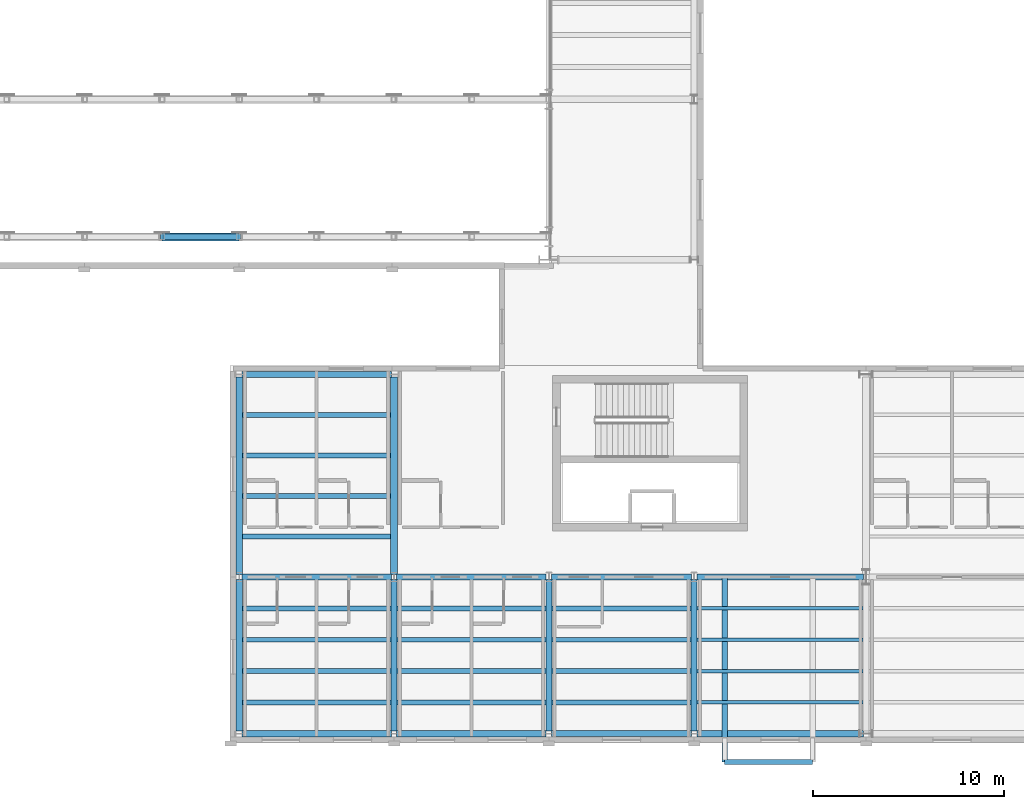
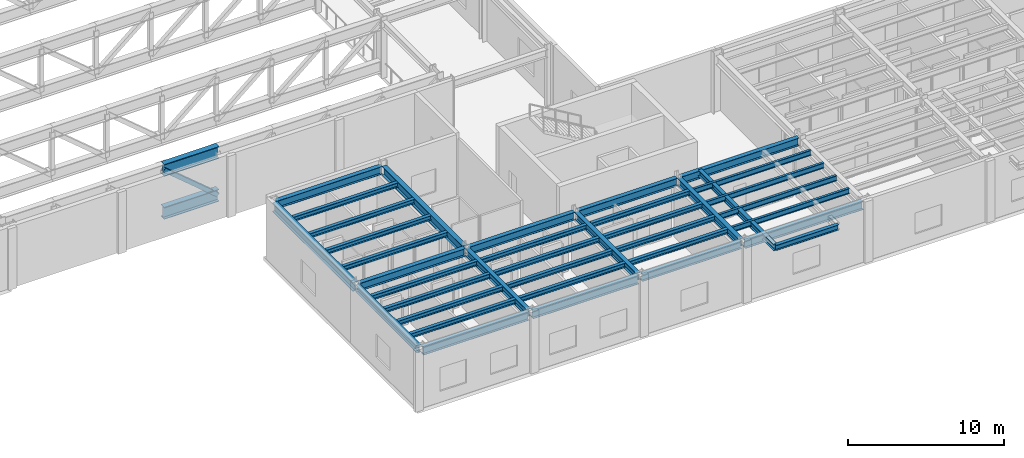
# One storey, part 17 of 91: 39 beams, 1 member.
"""IFC4 building model written with IfcOpenShell, lengths in metres."""

from ifc_helpers import new_model, si_unit, direction, frame, origin, origin_2d, place, context, subcontext, project, spatial, hollow_rectangle, i_section, extrude, material, material_profile, profile_set, type_object, element, save


model = new_model("IFC4")

# Units and contexts
model_context = context("Model", 3, precision=1e-05, world=origin(), true_north=direction((0.0, 1.0)))
body_context = subcontext(model_context, "Body", "Model", "MODEL_VIEW")
ifc_project = project(units=[si_unit("LENGTHUNIT", "METRE"), si_unit("AREAUNIT", "SQUARE_METRE"), si_unit("VOLUMEUNIT", "CUBIC_METRE"), si_unit("PLANEANGLEUNIT", "RADIAN"), si_unit("MASSUNIT", "GRAM", prefix="KILO")], contexts=[model_context])

# Site, building, storey
site_placement = place(None, origin())
site = spatial("IfcSite", under=ifc_project, at=site_placement, CompositionType="ELEMENT")
building_placement = place(site_placement, origin())
building = spatial("IfcBuilding", under=site, at=building_placement, Name="Sollismere Congress Hotel", CompositionType="ELEMENT")
storey_placement = place(building_placement, frame((0.0, 0.0, 10.800048828125)))
storey = spatial("IfcBuildingStorey", under=building, at=storey_placement, Name="L02", CompositionType="ELEMENT", Elevation=10.800048828125)

# Beams
ifc_material_1 = material(Name="Steel ASTM A992 Grade 50", Category="steel")
ifc_material_profile_1 = material_profile(ifc_material_1, i_section(OverallWidth=0.281982421875, OverallDepth=0.471923828125, WebThickness=0.013671875, FlangeThickness=0.022216796875, at=origin_2d()), Name="W18X97")
ifc_profile_set_1 = profile_set([ifc_material_profile_1], Name="Steel ASTM A992 Grade 50")
beam_type_1 = type_object("IfcBeamType", Name="BM-CK18E", PredefinedType="BEAM", material=ifc_profile_set_1)
beam_1_placement = place(storey_placement, frame((59.60009765625, 8.199951171875, 4.263916015625), z_axis=(0.0, -1.0, 0.0), x_axis=(1.0, 0.0, 0.0)))
element("IfcBeam", 1, at=beam_1_placement, inside=storey, type_object=beam_type_1, Name="Beam BM-L02-3877", PredefinedType="BEAM", context=body_context, shape_type="SweptSolid", body=[
    extrude(i_section(OverallWidth=0.281982421875, OverallDepth=0.471923828125, WebThickness=0.013671875, FlangeThickness=0.022216796875, at=origin_2d()), origin(), (0.0, 0.0, 1.0), 9.68994140625),
])
ifc_material_profile_2 = material_profile(ifc_material_1, i_section(OverallWidth=0.31494140625, OverallDepth=0.551025390625, WebThickness=0.01513671875, FlangeThickness=0.0244140625, at=origin_2d()), Name="W21X122")
ifc_profile_set_2 = profile_set([ifc_material_profile_2], Name="Steel ASTM A992 Grade 50")
beam_type_2 = type_object("IfcBeamType", Name="BM-G21H", PredefinedType="BEAM", material=ifc_profile_set_2)
for number, where, z_axis, x_axis, name in (
    (2, (34.199951171875, 0.139892578125, 4.224365234375), (0.0, 1.0, 0.0), (-1.0, 0.0, 0.0), "Beam BM-L02-2067"),
    (3, (42.300048828125, 0.139892578125, 4.224365234375), (0.0, 1.0, 0.0), (-1.0, 0.0, 0.0), "Beam BM-L02-2069"),
    (4, (50.39990234375, 0.139892578125, 4.224365234375), (0.0, 1.0, 0.0), (-1.0, 0.0, 0.0), "Beam BM-L02-2071"),
    (5, (58.0, 0.139892578125, 4.224365234375), (0.0, 1.0, 0.0), (-1.0, 0.0, 0.0), "Beam BM-L02-2078"),
):
    element("IfcBeam", number, at=place(storey_placement, frame(where, z_axis=z_axis, x_axis=x_axis)), inside=storey, type_object=beam_type_2, Name=name, PredefinedType="BEAM", context=body_context, shape_type="SweptSolid", body=[
        extrude(i_section(OverallWidth=0.31494140625, OverallDepth=0.551025390625, WebThickness=0.01513671875, FlangeThickness=0.0244140625, at=origin_2d()), origin(), (0.0, 0.0, 1.0), 7.920166015625),
    ])
ifc_material_profile_3 = material_profile(ifc_material_1, i_section(OverallWidth=0.324951171875, OverallDepth=0.612060546875, WebThickness=0.0126953125, FlangeThickness=0.01904296875, at=origin_2d()), Name="W24X104")
ifc_profile_set_3 = profile_set([ifc_material_profile_3], Name="Steel ASTM A992 Grade 50")
beam_type_3 = type_object("IfcBeamType", Name="BM-G24", PredefinedType="BEAM", material=ifc_profile_set_3)
beam_2_placement = place(storey_placement, frame((34.340087890625, 8.199951171875, 4.19384765625), z_axis=(1.0, 0.0, 0.0), x_axis=(0.0, 1.0, 0.0)))
element("IfcBeam", 6, at=beam_2_placement, inside=storey, type_object=beam_type_3, Name="Beam BM-L02-1985", PredefinedType="BEAM", context=body_context, shape_type="SweptSolid", body=[
    extrude(i_section(OverallWidth=0.324951171875, OverallDepth=0.612060546875, WebThickness=0.0126953125, FlangeThickness=0.01904296875, at=origin_2d()), origin(), (0.0, 0.0, 1.0), 7.81982421875),
])
beam_3_placement = place(storey_placement, frame((42.43994140625, 8.199951171875, 4.19384765625), z_axis=(1.0, 0.0, 0.0), x_axis=(0.0, 1.0, 0.0)))
element("IfcBeam", 7, at=beam_3_placement, inside=storey, type_object=beam_type_3, Name="Beam BM-L02-1986", PredefinedType="BEAM", context=body_context, shape_type="SweptSolid", body=[
    extrude(i_section(OverallWidth=0.324951171875, OverallDepth=0.612060546875, WebThickness=0.0126953125, FlangeThickness=0.01904296875, at=origin_2d()), origin(), (0.0, 0.0, 1.0), 7.820068359375),
])
beam_4_placement = place(storey_placement, frame((50.5400390625, 8.199951171875, 4.19384765625), z_axis=(1.0, 0.0, 0.0), x_axis=(0.0, 1.0, 0.0)))
element("IfcBeam", 8, at=beam_4_placement, inside=storey, type_object=beam_type_3, Name="Beam BM-L02-1987", PredefinedType="BEAM", context=body_context, shape_type="SweptSolid", body=[
    extrude(i_section(OverallWidth=0.324951171875, OverallDepth=0.612060546875, WebThickness=0.0126953125, FlangeThickness=0.01904296875, at=origin_2d()), origin(), (0.0, 0.0, 1.0), 7.320068359375),
])
beam_5_placement = place(storey_placement, frame((58.139892578125, 8.199951171875, 4.19384765625), z_axis=(1.0, 0.0, 0.0), x_axis=(0.0, 1.0, 0.0)))
element("IfcBeam", 9, at=beam_5_placement, inside=storey, type_object=beam_type_3, Name="Beam BM-L02-1988", PredefinedType="BEAM", context=body_context, shape_type="SweptSolid", body=[
    extrude(i_section(OverallWidth=0.324951171875, OverallDepth=0.612060546875, WebThickness=0.0126953125, FlangeThickness=0.01904296875, at=origin_2d()), origin(), (0.0, 0.0, 1.0), 8.72021484375),
])
beam_6_placement = place(storey_placement, frame((34.340087890625, 18.800048828125, 4.19384765625), z_axis=(1.0, 0.0, 0.0), x_axis=(0.0, 1.0, 0.0)))
element("IfcBeam", 10, at=beam_6_placement, inside=storey, type_object=beam_type_3, Name="Beam BM-L02-1999", PredefinedType="BEAM", context=body_context, shape_type="SweptSolid", body=[
    extrude(i_section(OverallWidth=0.324951171875, OverallDepth=0.612060546875, WebThickness=0.0126953125, FlangeThickness=0.01904296875, at=origin_2d()), origin(), (0.0, 0.0, 1.0), 7.81982421875),
])
ifc_material_profile_4 = material_profile(ifc_material_1, i_section(OverallWidth=0.35595703125, OverallDepth=0.696044921875, WebThickness=0.015380859375, FlangeThickness=0.025146484375, at=origin_2d()), Name="W27X146")
ifc_profile_set_4 = profile_set([ifc_material_profile_4], Name="Steel ASTM A992 Grade 50")
beam_type_4 = type_object("IfcBeamType", Name="BM-G27", PredefinedType="BEAM", material=ifc_profile_set_4)
for number, where, z_axis, x_axis, name in (
    (11, (34.199951171875, 8.340087890625, 4.15185546875), (0.0, 1.0, 0.0), (-1.0, 0.0, 0.0), "Beam BM-L02-2068"),
    (12, (42.300048828125, 8.340087890625, 4.15185546875), (0.0, 1.0, 0.0), (-1.0, 0.0, 0.0), "Beam BM-L02-2070"),
):
    element("IfcBeam", number, at=place(storey_placement, frame(where, z_axis=z_axis, x_axis=x_axis)), inside=storey, type_object=beam_type_4, Name=name, PredefinedType="BEAM", context=body_context, shape_type="SweptSolid", body=[
        extrude(i_section(OverallWidth=0.35595703125, OverallDepth=0.696044921875, WebThickness=0.015380859375, FlangeThickness=0.025146484375, at=origin_2d()), origin(), (0.0, 0.0, 1.0), 10.31982421875),
    ])
ifc_material_profile_5 = material_profile(ifc_material_1, i_section(OverallWidth=0.25390625, OverallDepth=0.35595703125, WebThickness=0.010498046875, FlangeThickness=0.018310546875, at=origin_2d()), Name="W14X68")
ifc_profile_set_5 = profile_set([ifc_material_profile_5], Name="Steel ASTM A992 Grade 50")
beam_type_5 = type_object("IfcBeamType", Name="BM-J14", PredefinedType="JOIST", material=ifc_profile_set_5)
for number, where, z_axis, x_axis, name in (
    (13, (34.357421875, 1.639892578125, 4.322021484375), (1.0, 0.0, 0.0), (0.0, 1.0, 0.0), "Beam BM-L02-2158"),
    (14, (34.357421875, 3.280029296875, 4.322021484375), (1.0, 0.0, 0.0), (0.0, 1.0, 0.0), "Beam BM-L02-2159"),
    (15, (34.357421875, 4.919921875, 4.322021484375), (1.0, 0.0, 0.0), (0.0, 1.0, 0.0), "Beam BM-L02-2160"),
    (16, (34.357421875, 6.56005859375, 4.322021484375), (1.0, 0.0, 0.0), (0.0, 1.0, 0.0), "Beam BM-L02-2161"),
):
    element("IfcBeam", number, at=place(storey_placement, frame(where, z_axis=z_axis, x_axis=x_axis)), inside=storey, type_object=beam_type_5, Name=name, PredefinedType="JOIST", context=body_context, shape_type="SweptSolid", body=[
        extrude(i_section(OverallWidth=0.25390625, OverallDepth=0.35595703125, WebThickness=0.010498046875, FlangeThickness=0.018310546875, at=origin_2d()), origin(), (0.0, 0.0, 1.0), 7.78515625),
    ])
for number, where, z_axis, x_axis, name in (
    (17, (34.3779296875, 10.320068359375, 4.322021484375), (1.0, 0.0, 0.0), (0.0, 1.0, 0.0), "Beam BM-L02-2162"),
    (18, (34.3779296875, 12.43994140625, 4.322021484375), (1.0, 0.0, 0.0), (0.0, 1.0, 0.0), "Beam BM-L02-2163"),
    (19, (34.3779296875, 14.56005859375, 4.322021484375), (1.0, 0.0, 0.0), (0.0, 1.0, 0.0), "Beam BM-L02-2164"),
    (20, (34.3779296875, 16.679931640625, 4.322021484375), (1.0, 0.0, 0.0), (0.0, 1.0, 0.0), "Beam BM-L02-2165"),
):
    element("IfcBeam", number, at=place(storey_placement, frame(where, z_axis=z_axis, x_axis=x_axis)), inside=storey, type_object=beam_type_5, Name=name, PredefinedType="JOIST", context=body_context, shape_type="SweptSolid", body=[
        extrude(i_section(OverallWidth=0.25390625, OverallDepth=0.35595703125, WebThickness=0.010498046875, FlangeThickness=0.018310546875, at=origin_2d()), origin(), (0.0, 0.0, 1.0), 7.744140625),
    ])
for number, where, z_axis, x_axis, name in (
    (21, (42.45751953125, 1.639892578125, 4.322021484375), (1.0, 0.0, 0.0), (0.0, 1.0, 0.0), "Beam BM-L02-2166"),
    (22, (42.45751953125, 3.280029296875, 4.322021484375), (1.0, 0.0, 0.0), (0.0, 1.0, 0.0), "Beam BM-L02-2167"),
    (23, (42.45751953125, 4.919921875, 4.322021484375), (1.0, 0.0, 0.0), (0.0, 1.0, 0.0), "Beam BM-L02-2168"),
    (24, (42.45751953125, 6.56005859375, 4.322021484375), (1.0, 0.0, 0.0), (0.0, 1.0, 0.0), "Beam BM-L02-2169"),
):
    element("IfcBeam", number, at=place(storey_placement, frame(where, z_axis=z_axis, x_axis=x_axis)), inside=storey, type_object=beam_type_5, Name=name, PredefinedType="JOIST", context=body_context, shape_type="SweptSolid", body=[
        extrude(i_section(OverallWidth=0.25390625, OverallDepth=0.35595703125, WebThickness=0.010498046875, FlangeThickness=0.018310546875, at=origin_2d()), origin(), (0.0, 0.0, 1.0), 7.784912109375),
    ])
for number, where, z_axis, x_axis, name in (
    (25, (50.5576171875, 1.639892578125, 4.322021484375), (1.0, 0.0, 0.0), (0.0, 1.0, 0.0), "Beam BM-L02-2170"),
    (26, (50.5576171875, 3.280029296875, 4.322021484375), (1.0, 0.0, 0.0), (0.0, 1.0, 0.0), "Beam BM-L02-2171"),
    (27, (50.5576171875, 4.919921875, 4.322021484375), (1.0, 0.0, 0.0), (0.0, 1.0, 0.0), "Beam BM-L02-2172"),
    (28, (50.5576171875, 6.56005859375, 4.322021484375), (1.0, 0.0, 0.0), (0.0, 1.0, 0.0), "Beam BM-L02-2173"),
):
    element("IfcBeam", number, at=place(storey_placement, frame(where, z_axis=z_axis, x_axis=x_axis)), inside=storey, type_object=beam_type_5, Name=name, PredefinedType="JOIST", context=body_context, shape_type="SweptSolid", body=[
        extrude(i_section(OverallWidth=0.25390625, OverallDepth=0.35595703125, WebThickness=0.010498046875, FlangeThickness=0.018310546875, at=origin_2d()), origin(), (0.0, 0.0, 1.0), 7.284912109375),
    ])
ifc_material_profile_6 = material_profile(ifc_material_1, i_section(OverallWidth=0.180908203125, OverallDepth=0.4169921875, WebThickness=0.010986328125, FlangeThickness=0.018310546875, at=origin_2d()), Name="W16X57")
ifc_profile_set_6 = profile_set([ifc_material_profile_6], Name="Steel ASTM A992 Grade 50")
beam_type_6 = type_object("IfcBeamType", Name="BM-J16", PredefinedType="JOIST", material=ifc_profile_set_6)
for number, where, z_axis, x_axis, name in (
    (29, (58.157470703125, 1.639892578125, 4.29150390625), (1.0, 0.0, 0.0), (0.0, 1.0, 0.0), "Beam BM-L02-2186"),
    (30, (58.157470703125, 3.280029296875, 4.29150390625), (1.0, 0.0, 0.0), (0.0, 1.0, 0.0), "Beam BM-L02-2187"),
    (31, (58.157470703125, 4.919921875, 4.29150390625), (1.0, 0.0, 0.0), (0.0, 1.0, 0.0), "Beam BM-L02-2188"),
    (32, (58.157470703125, 6.56005859375, 4.29150390625), (1.0, 0.0, 0.0), (0.0, 1.0, 0.0), "Beam BM-L02-2189"),
):
    element("IfcBeam", number, at=place(storey_placement, frame(where, z_axis=z_axis, x_axis=x_axis)), inside=storey, type_object=beam_type_6, Name=name, PredefinedType="JOIST", context=body_context, shape_type="SweptSolid", body=[
        extrude(i_section(OverallWidth=0.180908203125, OverallDepth=0.4169921875, WebThickness=0.010986328125, FlangeThickness=0.018310546875, at=origin_2d()), origin(), (0.0, 0.0, 1.0), 8.68505859375),
    ])
ifc_material_profile_7 = material_profile(ifc_material_1, i_section(OverallWidth=0.261962890625, OverallDepth=0.4189453125, WebThickness=0.01171875, FlangeThickness=0.019287109375, at=origin_2d()), Name="W16X77")
ifc_profile_set_7 = profile_set([ifc_material_profile_7], Name="Steel ASTM A992 Grade 50")
beam_type_7 = type_object("IfcBeamType", Name="BM-LN16E", PredefinedType="LINTEL", material=ifc_profile_set_7)
beam_7_placement = place(storey_placement, frame((59.60009765625, -1.489990234375, 4.29052734375), z_axis=(1.0, 0.0, 0.0), x_axis=(0.0, 1.0, 0.0)))
element("IfcBeam", 33, at=beam_7_placement, inside=storey, type_object=beam_type_7, Name="Beam BM-L02-3879", PredefinedType="LINTEL", context=body_context, shape_type="SweptSolid", body=[
    extrude(i_section(OverallWidth=0.261962890625, OverallDepth=0.4189453125, WebThickness=0.01171875, FlangeThickness=0.019287109375, at=origin_2d()), origin(), (0.0, 0.0, 1.0), 4.599853515625),
])
ifc_material_profile_8 = material_profile(ifc_material_1, i_section(OverallWidth=0.31494140625, OverallDepth=0.551025390625, WebThickness=0.01513671875, FlangeThickness=0.0244140625, at=origin_2d()), Name="W21X122")
ifc_profile_set_8 = profile_set([ifc_material_profile_8], Name="Steel ASTM A992 Grade 50")
beam_type_8 = type_object("IfcBeamType", Name="BM-SP21E", PredefinedType="SPANDREL", material=ifc_profile_set_8)
beam_8_placement = place(storey_placement, frame((50.5400390625, 0.0, 4.224365234375), z_axis=(1.0, 0.0, 0.0), x_axis=(0.0, 1.0, 0.0)))
element("IfcBeam", 34, at=beam_8_placement, inside=storey, type_object=beam_type_8, Name="Beam BM-L02-1973", PredefinedType="SPANDREL", context=body_context, shape_type="SweptSolid", body=[
    extrude(i_section(OverallWidth=0.31494140625, OverallDepth=0.551025390625, WebThickness=0.01513671875, FlangeThickness=0.0244140625, at=origin_2d()), origin(), (0.0, 0.0, 1.0), 7.320068359375),
])
ifc_material_profile_9 = material_profile(ifc_material_1, i_section(OverallWidth=0.330078125, OverallDepth=0.635009765625, WebThickness=0.017822265625, FlangeThickness=0.031005859375, at=origin_2d()), Name="W24X162")
ifc_profile_set_9 = profile_set([ifc_material_profile_9], Name="Steel ASTM A992 Grade 50")
beam_type_9 = type_object("IfcBeamType", Name="BM-SP24E", PredefinedType="SPANDREL", material=ifc_profile_set_9)
beam_9_placement = place(storey_placement, frame((34.340087890625, 0.0, 4.182373046875), z_axis=(1.0, 0.0, 0.0), x_axis=(0.0, 1.0, 0.0)))
element("IfcBeam", 35, at=beam_9_placement, inside=storey, type_object=beam_type_9, Name="Beam BM-L02-1971", PredefinedType="SPANDREL", context=body_context, shape_type="SweptSolid", body=[
    extrude(i_section(OverallWidth=0.330078125, OverallDepth=0.635009765625, WebThickness=0.017822265625, FlangeThickness=0.031005859375, at=origin_2d()), origin(), (0.0, 0.0, 1.0), 7.81982421875),
])
beam_10_placement = place(storey_placement, frame((42.43994140625, 0.0, 4.182373046875), z_axis=(1.0, 0.0, 0.0), x_axis=(0.0, 1.0, 0.0)))
element("IfcBeam", 36, at=beam_10_placement, inside=storey, type_object=beam_type_9, Name="Beam BM-L02-1972", PredefinedType="SPANDREL", context=body_context, shape_type="SweptSolid", body=[
    extrude(i_section(OverallWidth=0.330078125, OverallDepth=0.635009765625, WebThickness=0.017822265625, FlangeThickness=0.031005859375, at=origin_2d()), origin(), (0.0, 0.0, 1.0), 7.820068359375),
])
beam_11_placement = place(storey_placement, frame((58.139892578125, 0.0, 4.182373046875), z_axis=(1.0, 0.0, 0.0), x_axis=(0.0, 1.0, 0.0)))
element("IfcBeam", 37, at=beam_11_placement, inside=storey, type_object=beam_type_9, Name="Beam BM-L02-1974", PredefinedType="SPANDREL", context=body_context, shape_type="SweptSolid", body=[
    extrude(i_section(OverallWidth=0.330078125, OverallDepth=0.635009765625, WebThickness=0.017822265625, FlangeThickness=0.031005859375, at=origin_2d()), origin(), (0.0, 0.0, 1.0), 8.72021484375),
])
ifc_material_profile_10 = material_profile(ifc_material_1, i_section(OverallWidth=0.424072265625, OverallDepth=0.93994140625, WebThickness=0.02392578125, FlangeThickness=0.042724609375, at=origin_2d()), Name="W36X302")
ifc_profile_set_10 = profile_set([ifc_material_profile_10], Name="Steel ASTM A992 Grade 50")
beam_type_10 = type_object("IfcBeamType", Name="BM-TC36", PredefinedType="BEAM", material=ifc_profile_set_10)
for number, where, z_axis, x_axis, name in (
    (38, (30.14990234375, 26.0, 4.030029296875), (1.0, 0.0, 0.0), (0.0, 1.0, 0.0), "Transfer truss chord BM-L02-4054"),
    (39, (30.14990234375, 26.0, 0.679931640625), (1.0, 0.0, 0.0), (0.0, 1.0, 0.0), "Transfer truss chord BM-L02-4055"),
):
    element("IfcBeam", number, at=place(storey_placement, frame(where, z_axis=z_axis, x_axis=x_axis)), inside=storey, type_object=beam_type_10, Name=name, PredefinedType="BEAM", context=body_context, shape_type="SweptSolid", body=[
        extrude(i_section(OverallWidth=0.424072265625, OverallDepth=0.93994140625, WebThickness=0.02392578125, FlangeThickness=0.042724609375, at=origin_2d()), origin(), (0.0, 0.0, 1.0), 4.050048828125),
    ])

# Member
ifc_material_2 = material(Name="Steel ASTM A500 Grade C", Category="steel")
ifc_material_profile_11 = material_profile(ifc_material_2, hollow_rectangle(XDim=0.300048828125, YDim=0.300048828125, WallThickness=0.011962890625, at=origin_2d()), Name="HSS300X300X12")
ifc_profile_set_11 = profile_set([ifc_material_profile_11], Name="Steel ASTM A500 Grade C")
member_type = type_object("IfcMemberType", Name="MB-BR300", PredefinedType="BRACE", material=ifc_profile_set_11)
member_placement = place(storey_placement, frame((30.179931640625, 26.0, 4.030029296875), z_axis=(0.765846088126, 0.0, -0.643023925917), x_axis=(0.0, 1.0, 0.0)))
element("IfcMember", 40, at=member_placement, inside=storey, type_object=member_type, Name="MBT-14 diagonal brace", PredefinedType="BRACE", context=body_context, shape_type="SweptSolid", body=[
    extrude(hollow_rectangle(XDim=0.300048828125, YDim=0.300048828125, WallThickness=0.011962890625, at=origin_2d()), origin(), (0.0, 0.0, 1.0), 5.2099609375),
])

save(model, "model.ifc")
